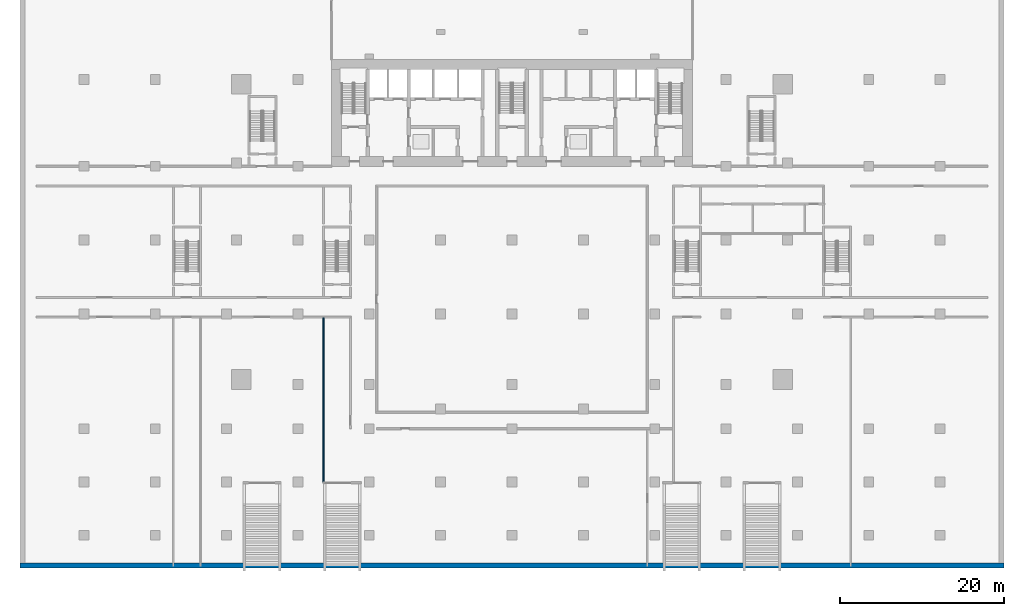
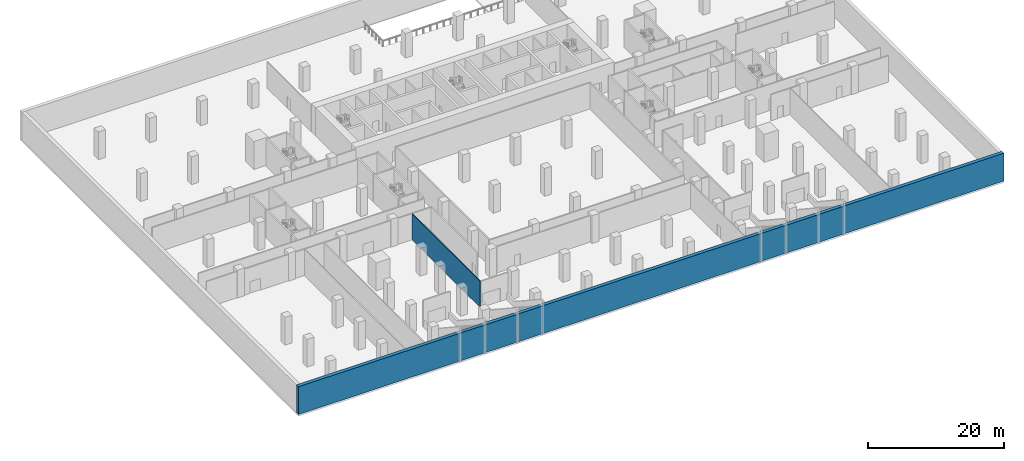
# One storey, part 3 of 16: 2 walls.
"""IFC4 building model written with IfcOpenShell, lengths in metres."""

from ifc_helpers import new_model, si_unit, direction, frame, frame_2d, origin, place, context, subcontext, project, spatial, rectangle, extrude, material, layer, layer_set, type_object, element, save


model = new_model("IFC4")

# Units and contexts
model_context = context("Model", 3, precision=1e-05, world=origin(), true_north=direction((0.0, 1.0)))
body_context = subcontext(model_context, "Body", "Model", "MODEL_VIEW")
ifc_project = project(units=[si_unit("LENGTHUNIT", "METRE"), si_unit("AREAUNIT", "SQUARE_METRE"), si_unit("VOLUMEUNIT", "CUBIC_METRE"), si_unit("PLANEANGLEUNIT", "RADIAN"), si_unit("MASSUNIT", "GRAM", prefix="KILO")], contexts=[model_context])

# Site, building, storey
site_placement = place(None, origin())
site = spatial("IfcSite", under=ifc_project, at=site_placement, CompositionType="ELEMENT")
building_placement = place(site_placement, origin())
building = spatial("IfcBuilding", under=site, at=building_placement, Name="Bicima Exchange Tower", CompositionType="ELEMENT")
storey_placement = place(building_placement, frame((0.0, 0.0, -5.0)))
storey = spatial("IfcBuildingStorey", under=building, at=storey_placement, Name="B1", CompositionType="ELEMENT", Elevation=-5.0)

# Walls
ifc_material_1 = material(Name="Concrete C40/50", Category="concrete")
ifc_layer_1 = layer(ifc_material_1, 0.60009765625)
ifc_layer_set_1 = layer_set([ifc_layer_1], Name="Concrete C40/50")
wall_type_1 = type_object("IfcWallType", Name="Basement retaining wall 600", PredefinedType="SOLIDWALL", material=ifc_layer_set_1)
wall_1_placement = place(storey_placement, frame((-60.0, -61.699951171875, 0.0), z_axis=(0.0, 0.0, 1.0), x_axis=(1.0, 0.0, 0.0)))
element("IfcWall", 1, at=wall_1_placement, inside=storey, type_object=wall_type_1, Name="Retaining wall south", PredefinedType="SOLIDWALL", context=body_context, shape_type="SweptSolid", body=[
    extrude(rectangle(XDim=120.0, YDim=0.60009765625, at=frame_2d((60.0, 0.0))), origin(), (0.0, 0.0, 1.0), 5.0),
])
ifc_material_2 = material(Name="Gypsum board partition")
ifc_layer_2 = layer(ifc_material_2, 0.14990234375)
ifc_layer_set_2 = layer_set([ifc_layer_2], Name="Gypsum board partition")
wall_type_2 = type_object("IfcWallType", Name="Gypsum partition 150", PredefinedType="PARTITIONING", material=ifc_layer_set_2)
wall_2_placement = place(storey_placement, frame((-23.0, -51.550048828125, 0.0), z_axis=(0.0, 0.0, 1.0), x_axis=(0.0, 1.0, 0.0)))
element("IfcWall", 2, at=wall_2_placement, inside=storey, type_object=wall_type_2, Name="partition wall 36", PredefinedType="PARTITIONING", context=body_context, shape_type="SweptSolid", body=[
    extrude(rectangle(XDim=20.050048828125, YDim=0.14990234375, at=frame_2d((10.02490234375, 0.0))), origin(), (0.0, 0.0, 1.0), 4.699951171875),
])

save(model, "model.ifc")
